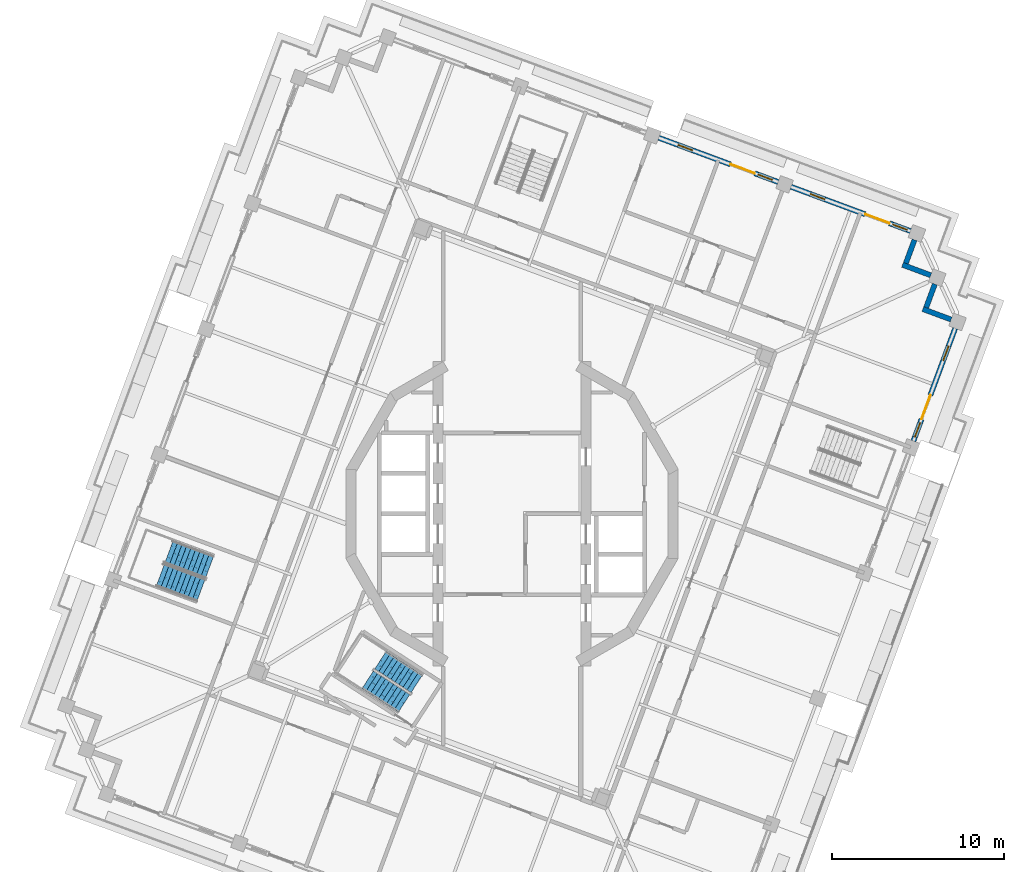
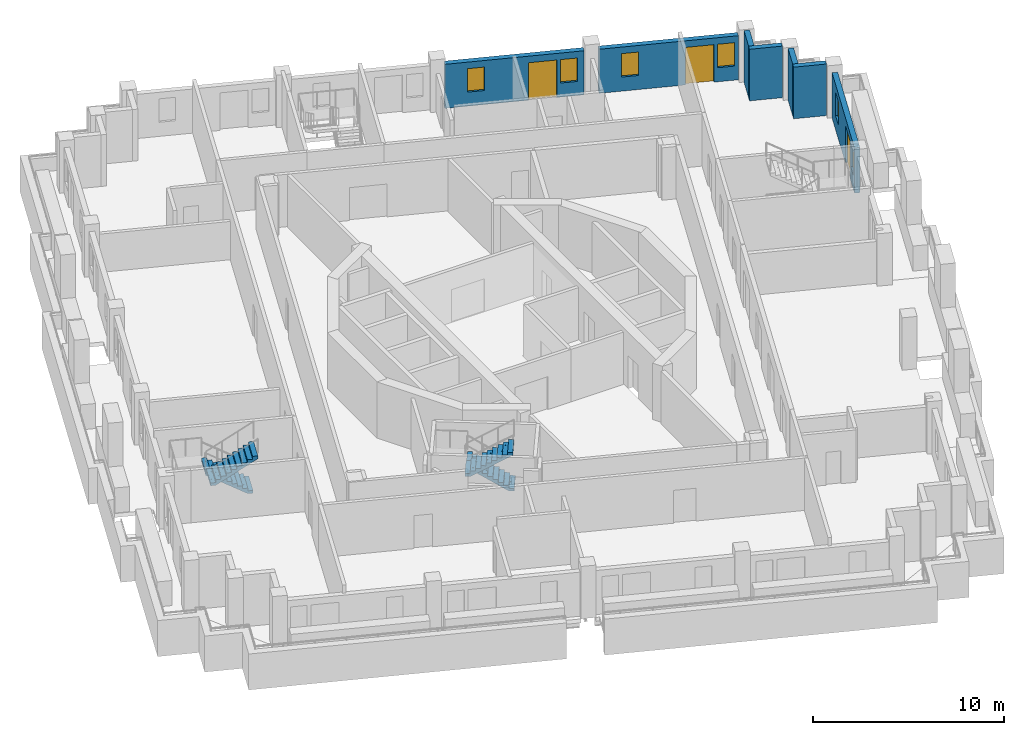
# One storey, part 9 of 18: 7 walls, 6 windows, 4 stair flights, 3 doors, 9 openings, 2 elements without a shape of their own.
"""IFC4 building model written with IfcOpenShell, lengths in metres."""

import ifcopenshell
import ifcopenshell.guid

model = None  # the IFC model being written
_history = None  # IfcOwnerHistory: only IFC2X3 demands one
_inside = {}  # id of a spatial element -> (the spatial element, [elements in it])
_under = {}  # id of a project, library or spatial element -> (it, [spatial elements below it])
_declared = {}  # id of a project -> (the project, [libraries it declares])
_typed = {}  # id of a type object -> (the type object, [elements of that type])
_made_of = {}  # id of a material, layer set ... -> (it, [elements and type objects made of it])


def new_model(schema):
    """Start an empty IFC model of exactly this schema.

    Asked for "IFC4X3", IfcOpenShell would pick the latest addendum, in which some entities
    have other attributes; the version numbers below select the first issue.
    IFC2X3 requires an IfcOwnerHistory on every rooted entity: one is made here for all.
    """
    global model, _history
    if schema == "IFC4X3":
        model = ifcopenshell.file(schema_version=(4, 3, 0, 0))
    else:
        model = ifcopenshell.file(schema=schema)
    _inside.clear()
    _under.clear()
    _declared.clear()
    _typed.clear()
    _made_of.clear()
    _history = None
    if model.schema == "IFC2X3":
        org = make("IfcOrganization", Name="unknown")
        user = make(
            "IfcPersonAndOrganization",
            ThePerson=make("IfcPerson", FamilyName="unknown"),
            TheOrganization=org,
        )
        app = make(
            "IfcApplication",
            ApplicationDeveloper=org,
            Version="unknown",
            ApplicationFullName="unknown",
            ApplicationIdentifier="unknown",
        )
        _history = make(
            "IfcOwnerHistory",
            OwningUser=user,
            OwningApplication=app,
            ChangeAction="ADDED",
            CreationDate=0,
        )
    return model


def make(cls, **values):
    """One entity of the class cls with the attributes given. An attribute that is None is left unset."""
    return model.create_entity(
        cls, **{name: value for name, value in values.items() if value is not None}
    )


def rooted(cls, **values):
    """An entity with a GlobalId (a new one), such as an element, a storey or a relation."""
    return make(cls, GlobalId=ifcopenshell.guid.new(), OwnerHistory=_history, **values)


def si_unit(unit_type, name, prefix=None):
    """IfcSIUnit, for example si_unit("LENGTHUNIT", "METRE", prefix="MILLI")."""
    return make("IfcSIUnit", UnitType=unit_type, Prefix=prefix, Name=name)


def assignment(units):
    """IfcUnitAssignment: the units of a project."""
    return None if units is None else make("IfcUnitAssignment", Units=units)


def point(xyz):
    """IfcCartesianPoint."""
    return None if xyz is None else make("IfcCartesianPoint", Coordinates=xyz)


def direction(xyz):
    """IfcDirection."""
    return None if xyz is None else make("IfcDirection", DirectionRatios=xyz)


def frame(location, z_axis=None, x_axis=None):
    """IfcAxis2Placement3D, a coordinate frame: its origin and axes. An axis left out is left unset."""
    return make(
        "IfcAxis2Placement3D",
        Location=point(location),
        Axis=direction(z_axis),
        RefDirection=direction(x_axis),
    )


def frame_2d(location, x_axis=None):
    """IfcAxis2Placement2D, a coordinate frame in the plane: its origin and x axis."""
    return make(
        "IfcAxis2Placement2D", Location=point(location), RefDirection=direction(x_axis)
    )


def origin():
    """The frame at (0, 0, 0) with its axes left unset."""
    return frame((0.0, 0.0, 0.0))


def place(relative_to, where):
    """IfcLocalPlacement: puts the frame where relative to a parent placement (None: the world)."""
    return make(
        "IfcLocalPlacement", PlacementRelTo=relative_to, RelativePlacement=where
    )


def context(
    kind, dimensions, precision=None, world=None, true_north=None, identifier=None
):
    """IfcGeometricRepresentationContext, for example the 3D "Model" context."""
    return make(
        "IfcGeometricRepresentationContext",
        ContextIdentifier=identifier,
        ContextType=kind,
        CoordinateSpaceDimension=dimensions,
        Precision=precision,
        WorldCoordinateSystem=world,
        TrueNorth=true_north,
    )


def subcontext(parent, identifier, kind, view, scale=None):
    """IfcGeometricRepresentationSubContext, for example "Body" below "Model"."""
    return make(
        "IfcGeometricRepresentationSubContext",
        ContextIdentifier=identifier,
        ContextType=kind,
        ParentContext=parent,
        TargetScale=scale,
        TargetView=view,
    )


def project(units=None, contexts=None):
    """IfcProject with its units and contexts."""
    return rooted(
        "IfcProject",
        Name="project",
        RepresentationContexts=contexts,
        UnitsInContext=assignment(units),
    )


def spatial(cls, under=None, at=None, **own):
    """A site, building, storey or space (cls), placed at a placement, below another one or the project."""
    s = rooted(cls, ObjectPlacement=at, **own)
    if under is not None:
        _under.setdefault(under.id(), (under, []))[1].append(s)
    return s


def polyline(points):
    """IfcPolyline through the points."""
    return make("IfcPolyline", Points=[point(p) for p in points])


def profile(cls, at=None, kind="AREA", **sizes):
    """A parametric profile (cls). Its sizes go by their IFC names, for example OverallWidth=200.0."""
    return make(cls, ProfileType=kind, Position=at, **sizes)


def rectangle(**sizes):
    """IfcRectangleProfileDef."""
    return profile("IfcRectangleProfileDef", **sizes)


def outline(outer, holes=None, kind="AREA"):
    """IfcArbitraryClosedProfileDef: a profile drawn as a closed curve; with holes, ...WithVoids."""
    if holes is None:
        return make("IfcArbitraryClosedProfileDef", ProfileType=kind, OuterCurve=outer)
    return make(
        "IfcArbitraryProfileDefWithVoids",
        ProfileType=kind,
        OuterCurve=outer,
        InnerCurves=holes,
    )


def extrude(swept, where, along, depth):
    """IfcExtrudedAreaSolid: the profile swept, set in the frame where, extruded along a direction by depth."""
    return make(
        "IfcExtrudedAreaSolid",
        SweptArea=swept,
        Position=where,
        ExtrudedDirection=direction(along),
        Depth=depth,
    )


def shape(context_of_items, identifier, shape_type, items):
    """IfcShapeRepresentation: the items that make up one representation, for example the "Body"."""
    return make(
        "IfcShapeRepresentation",
        ContextOfItems=context_of_items,
        RepresentationIdentifier=identifier,
        RepresentationType=shape_type,
        Items=items,
    )


def material(Name=None, Category=None):
    """IfcMaterial."""
    return make("IfcMaterial", Name=Name, Category=Category)


def layer(
    of_material, thickness, ventilated=None, Name=None, Category=None, Priority=None
):
    """IfcMaterialLayer: one layer of a wall or slab, of a material (None: an air gap)."""
    return make(
        "IfcMaterialLayer",
        Material=of_material,
        LayerThickness=thickness,
        IsVentilated=ventilated,
        Name=Name,
        Category=Category,
        Priority=Priority,
    )


def layer_set(layers, Name=None):
    """IfcMaterialLayerSet."""
    return make("IfcMaterialLayerSet", MaterialLayers=layers, LayerSetName=Name)


def made_of(thing, what):
    """Note that an element or type object is made of a material, layer set ...; save() writes the relation."""
    if what is not None:
        _made_of.setdefault(what.id(), (what, []))[1].append(thing)
    return thing


def type_object(cls, material=None, **own):
    """A type object (cls), such as IfcWallType, which elements share."""
    return made_of(rooted(cls, **own), material)


def element(
    cls,
    number,
    at=None,
    inside=None,
    cuts=None,
    type_object=None,
    material=None,
    context=None,
    identifier="Body",
    shape_type=None,
    held_by="IfcProductDefinitionShape",
    body=None,
    shapes=None,
    **own,
):
    """One element of the class cls, such as IfcWall. Its Tag is "e" and its number.

    at: its placement. inside: the storey or other place that contains it. cuts: it is an
    opening in that element (IfcRelVoidsElement). A single representation is given by context,
    identifier, shape_type and body (its items); several are given by shapes. held_by: the class
    of the entity that holds the representations. save() writes the other relations.
    """
    e = rooted(cls, Tag="e%d" % number, ObjectPlacement=at, **own)
    if body is not None:
        shapes = [shape(context, identifier, shape_type, body)]
    if shapes is not None:
        e.Representation = make(held_by, Representations=shapes)
    if inside is not None:
        _inside.setdefault(inside.id(), (inside, []))[1].append(e)
    if cuts is not None:
        rooted(
            "IfcRelVoidsElement", RelatingBuildingElement=cuts, RelatedOpeningElement=e
        )
    if type_object is not None:
        _typed.setdefault(type_object.id(), (type_object, []))[1].append(e)
    return made_of(e, material)


def fill(opening, filler):
    """IfcRelFillsElement: the door or window that sits in an opening."""
    return rooted(
        "IfcRelFillsElement",
        RelatingOpeningElement=opening,
        RelatedBuildingElement=filler,
    )


def aggregate(whole, parts):
    """IfcRelAggregates: a whole, such as a stair, and the parts it consists of."""
    return rooted("IfcRelAggregates", RelatingObject=whole, RelatedObjects=parts)


def save(model, path):
    """Write the relations noted so far, then the file.

    IfcRelAggregates (storeys below a building ...), IfcRelContainedInSpatialStructure (elements
    in a storey), IfcRelDefinesByType, IfcRelAssociatesMaterial and IfcRelDeclares: one each for
    every whole, place, type object, material and project.
    """
    for whole, parts in _under.values():
        aggregate(whole, parts)
    for where, things in _inside.values():
        rooted(
            "IfcRelContainedInSpatialStructure",
            RelatedElements=things,
            RelatingStructure=where,
        )
    for kind, things in _typed.values():
        rooted("IfcRelDefinesByType", RelatedObjects=things, RelatingType=kind)
    for what, things in _made_of.values():
        rooted("IfcRelAssociatesMaterial", RelatedObjects=things, RelatingMaterial=what)
    for by, libraries in _declared.values():
        rooted("IfcRelDeclares", RelatingContext=by, RelatedDefinitions=libraries)
    model.write(path)


model = new_model("IFC4")

# Units and contexts
model_context = context("Model", 3, precision=1e-05, world=origin(), true_north=direction((0.0, 1.0)))
body_context = subcontext(model_context, "Body", "Model", "MODEL_VIEW")
ifc_project = project(units=[si_unit("LENGTHUNIT", "METRE"), si_unit("AREAUNIT", "SQUARE_METRE"), si_unit("VOLUMEUNIT", "CUBIC_METRE"), si_unit("PLANEANGLEUNIT", "RADIAN"), si_unit("MASSUNIT", "GRAM", prefix="KILO")], contexts=[model_context])

# Site, building, storey
site_placement = place(None, origin())
site = spatial("IfcSite", under=ifc_project, at=site_placement, CompositionType="ELEMENT")
building_placement = place(site_placement, origin())
building = spatial("IfcBuilding", under=site, at=building_placement, Name="Cantera Rosa Tower", CompositionType="ELEMENT")
storey_placement = place(building_placement, frame((0.0, 0.0, 338.5)))
storey = spatial("IfcBuildingStorey", under=building, at=storey_placement, Name="L76", CompositionType="ELEMENT", Elevation=338.5)

# Walls
ifc_material_1 = material(Name="Hollow clay masonry with cantera stone cladding", Category="masonry")
ifc_layer_1 = layer(ifc_material_1, 0.300048828125)
ifc_layer_set_1 = layer_set([ifc_layer_1], Name="EW-LOGGIA 300")
wall_type_1 = type_object("IfcWallType", Name="EW-LOGGIA 300", PredefinedType="SOLIDWALL", material=ifc_layer_set_1)
wall_1_placement = place(storey_placement, frame((25.51220703125, 11.288330078125, 0.0), z_axis=(0.0, 0.0, 1.0), x_axis=(-0.937669639538, 0.34752790836, 0.0)))
element("IfcWall", 1, at=wall_1_placement, inside=storey, type_object=wall_type_1, Name="EN-L76-W25a", PredefinedType="SOLIDWALL", context=body_context, shape_type="SweptSolid", body=[
    extrude(rectangle(XDim=1.75, YDim=0.300048828125, at=frame_2d((0.875, 0.0))), origin(), (0.0, 0.0, 1.0), 3.300048828125),
])
wall_2_placement = place(storey_placement, frame((24.06396484375, 11.985107421875, 0.0), z_axis=(0.0, 0.0, 1.0), x_axis=(0.347522732201, 0.937671557958, 0.0)))
element("IfcWall", 2, at=wall_2_placement, inside=storey, type_object=wall_type_1, Name="EN-L76-W25b", PredefinedType="SOLIDWALL", context=body_context, shape_type="SweptSolid", body=[
    extrude(rectangle(XDim=1.449951171875, YDim=0.300048828125, at=frame_2d((0.72509765625, 0.0))), origin(), (0.0, 0.0, 1.0), 3.300048828125),
])
wall_3_placement = place(storey_placement, frame((24.331787109375, 13.858642578125, 0.0), z_axis=(0.0, 0.0, 1.0), x_axis=(-0.937669639538, 0.34752790836, 0.0)))
element("IfcWall", 3, at=wall_3_placement, inside=storey, type_object=wall_type_1, Name="EN-L76-W26a", PredefinedType="SOLIDWALL", context=body_context, shape_type="SweptSolid", body=[
    extrude(rectangle(XDim=1.75, YDim=0.300048828125, at=frame_2d((0.875, 0.0))), origin(), (0.0, 0.0, 1.0), 3.300048828125),
])
wall_4_placement = place(storey_placement, frame((22.883544921875, 14.555419921875, 0.0), z_axis=(0.0, 0.0, 1.0), x_axis=(0.347522732201, 0.937671557958, 0.0)))
element("IfcWall", 4, at=wall_4_placement, inside=storey, type_object=wall_type_1, Name="EN-L76-W26b", PredefinedType="SOLIDWALL", context=body_context, shape_type="SweptSolid", body=[
    extrude(rectangle(XDim=1.449951171875, YDim=0.300048828125, at=frame_2d((0.72509765625, 0.0))), origin(), (0.0, 0.0, 1.0), 3.300048828125),
])

# Wall, openings, windows, door
ifc_material_2 = material(Name="Hollow clay masonry with cantera stone cladding", Category="masonry")
ifc_layer_2 = layer(ifc_material_2, 0.300048828125)
ifc_layer_set_2 = layer_set([ifc_layer_2], Name="EW-LOGGIA 300 H2820")
wall_type_2 = type_object("IfcWallType", Name="EW-LOGGIA 300 H2820", PredefinedType="SOLIDWALL", material=ifc_layer_set_2)
wall_5_placement = place(storey_placement, frame((23.1513671875, 16.428955078125, 0.0), z_axis=(0.0, 0.0, 1.0), x_axis=(-0.937676706507, 0.347508840281, 0.0)))
wall_5 = element("IfcWall", 5, at=wall_5_placement, inside=storey, type_object=wall_type_2, Name="EN-L76-W01", PredefinedType="SOLIDWALL", context=body_context, shape_type="SweptSolid", body=[
    extrude(rectangle(XDim=7.39990234375, YDim=0.300048828125, at=frame_2d((3.699951171875, 0.0))), origin(), (0.0, 0.0, 1.0), 2.820068359375),
])
opening_1_placement = place(wall_5_placement, frame((0.199951171875, 0.0, 0.89990234375)))
opening_1 = element("IfcOpeningElement", 6, at=opening_1_placement, cuts=wall_5, Name="Opening L76-W01", PredefinedType="OPENING", context=body_context, shape_type="SweptSolid", body=[
    extrude(rectangle(XDim=0.89990234375, YDim=1.5, at=frame_2d((0.449951171875, 0.75))), frame((0.0, 0.159912109375, 0.0), z_axis=(0.0, -1.0, 0.0), x_axis=(1.0, 0.0, 0.0)), (0.0, 0.0, 1.0), 0.320068359375),
])
opening_2_placement = place(wall_5_placement, frame((1.300048828125, 0.0, 0.0)))
opening_2 = element("IfcOpeningElement", 7, at=opening_2_placement, cuts=wall_5, Name="Opening L76-TD02", PredefinedType="OPENING", context=body_context, shape_type="SweptSolid", body=[
    extrude(rectangle(XDim=1.5, YDim=2.39990234375, at=frame_2d((0.75, 1.199951171875))), frame((0.0, 0.159912109375, 0.0), z_axis=(0.0, -1.0, 0.0), x_axis=(1.0, 0.0, 0.0)), (0.0, 0.0, 1.0), 0.320068359375),
])
opening_3_placement = place(wall_5_placement, frame((5.300048828125, 0.0, 0.89990234375)))
opening_3 = element("IfcOpeningElement", 8, at=opening_3_placement, cuts=wall_5, Name="Opening L76-W03", PredefinedType="OPENING", context=body_context, shape_type="SweptSolid", body=[
    extrude(rectangle(XDim=0.89990234375, YDim=1.5, at=frame_2d((0.449951171875, 0.75))), frame((0.0, 0.159912109375, 0.0), z_axis=(0.0, -1.0, 0.0), x_axis=(1.0, 0.0, 0.0)), (0.0, 0.0, 1.0), 0.320068359375),
])
ifc_material_3 = material(Name="Aluminium frame with clear glass", Category="aluminium")
window_type = type_object("IfcWindowType", Name="Residential window 900x1500", PartitioningType="SINGLE_PANEL", PredefinedType="WINDOW", material=ifc_material_3)
window_1_placement = place(opening_1_placement, origin())
window_1 = element("IfcWindow", 9, at=window_1_placement, inside=storey, type_object=window_type, Name="WINDOW L76-W01", OverallHeight=1.5, OverallWidth=0.89990234375, PartitioningType="SINGLE_PANEL", PredefinedType="WINDOW", context=body_context, shape_type="SweptSolid", body=[
    extrude(rectangle(XDim=0.89990234375, YDim=1.5, at=frame_2d((0.449951171875, 0.75))), frame((0.0, 0.030029296875, 0.0), z_axis=(0.0, -1.0, 0.0), x_axis=(1.0, 0.0, 0.0)), (0.0, 0.0, 1.0), 0.06005859375),
])
fill(opening_1, window_1)
window_2_placement = place(opening_3_placement, origin())
window_2 = element("IfcWindow", 10, at=window_2_placement, inside=storey, type_object=window_type, Name="WINDOW L76-W03", OverallHeight=1.5, OverallWidth=0.89990234375, PartitioningType="SINGLE_PANEL", PredefinedType="WINDOW", context=body_context, shape_type="SweptSolid", body=[
    extrude(rectangle(XDim=0.89990234375, YDim=1.5, at=frame_2d((0.449951171875, 0.75))), frame((0.0, 0.030029296875, 0.0), z_axis=(0.0, -1.0, 0.0), x_axis=(1.0, 0.0, 0.0)), (0.0, 0.0, 1.0), 0.06005859375),
])
fill(opening_3, window_2)
ifc_material_4 = material(Name="Aluminium frame with clear glass", Category="aluminium")
door_type = type_object("IfcDoorType", Name="TD-R 1500x2400", OperationType="NOTDEFINED", PredefinedType="DOOR", material=ifc_material_4)
door_1_placement = place(opening_2_placement, origin())
door_1 = element("IfcDoor", 11, at=door_1_placement, inside=storey, type_object=door_type, Name="LOGGIA DOOR L76-TD02", OperationType="SLIDING_TO_LEFT", OverallHeight=2.39990234375, OverallWidth=1.5, PredefinedType="DOOR", context=body_context, shape_type="SweptSolid", body=[
    extrude(rectangle(XDim=1.5, YDim=2.39990234375, at=frame_2d((0.75, 1.199951171875))), frame((0.0, 0.02490234375, 0.0), z_axis=(0.0, -1.0, 0.0), x_axis=(1.0, 0.0, 0.0)), (0.0, 0.0, 1.0), 0.050048828125),
])
fill(opening_2, door_1)

wall_6_placement = place(storey_placement, frame((15.46240234375, 19.2783203125, 0.0), z_axis=(0.0, 0.0, 1.0), x_axis=(-0.937680690562, 0.34749808999, 0.0)))
wall_6 = element("IfcWall", 12, at=wall_6_placement, inside=storey, type_object=wall_type_2, Name="EN-L76-W02", PredefinedType="SOLIDWALL", context=body_context, shape_type="SweptSolid", body=[
    extrude(rectangle(XDim=7.400146484375, YDim=0.300048828125, at=frame_2d((3.7001953125, 0.0))), origin(), (0.0, 0.0, 1.0), 2.820068359375),
])
opening_4_placement = place(wall_6_placement, frame((0.35009765625, 0.0, 0.89990234375)))
opening_4 = element("IfcOpeningElement", 13, at=opening_4_placement, cuts=wall_6, Name="Opening L76-W04", PredefinedType="OPENING", context=body_context, shape_type="SweptSolid", body=[
    extrude(rectangle(XDim=0.89990234375, YDim=1.5, at=frame_2d((0.449951171875, 0.75))), frame((0.0, 0.159912109375, 0.0), z_axis=(0.0, -1.0, 0.0), x_axis=(1.0, 0.0, 0.0)), (0.0, 0.0, 1.0), 0.320068359375),
])
opening_5_placement = place(wall_6_placement, frame((1.449951171875, 0.0, 0.0)))
opening_5 = element("IfcOpeningElement", 14, at=opening_5_placement, cuts=wall_6, Name="Opening L76-TD05", PredefinedType="OPENING", context=body_context, shape_type="SweptSolid", body=[
    extrude(rectangle(XDim=1.5, YDim=2.39990234375, at=frame_2d((0.75, 1.199951171875))), frame((0.0, 0.159912109375, 0.0), z_axis=(0.0, -1.0, 0.0), x_axis=(1.0, 0.0, 0.0)), (0.0, 0.0, 1.0), 0.320068359375),
])
opening_6_placement = place(wall_6_placement, frame((5.300048828125, 0.0, 0.89990234375)))
opening_6 = element("IfcOpeningElement", 15, at=opening_6_placement, cuts=wall_6, Name="Opening L76-W06", PredefinedType="OPENING", context=body_context, shape_type="SweptSolid", body=[
    extrude(rectangle(XDim=0.89990234375, YDim=1.5, at=frame_2d((0.449951171875, 0.75))), frame((0.0, 0.159912109375, 0.0), z_axis=(0.0, -1.0, 0.0), x_axis=(1.0, 0.0, 0.0)), (0.0, 0.0, 1.0), 0.320068359375),
])
window_3_placement = place(opening_4_placement, origin())
window_3 = element("IfcWindow", 16, at=window_3_placement, inside=storey, type_object=window_type, Name="WINDOW L76-W04", OverallHeight=1.5, OverallWidth=0.89990234375, PartitioningType="SINGLE_PANEL", PredefinedType="WINDOW", context=body_context, shape_type="SweptSolid", body=[
    extrude(rectangle(XDim=0.89990234375, YDim=1.5, at=frame_2d((0.449951171875, 0.75))), frame((0.0, 0.030029296875, 0.0), z_axis=(0.0, -1.0, 0.0), x_axis=(1.0, 0.0, 0.0)), (0.0, 0.0, 1.0), 0.06005859375),
])
fill(opening_4, window_3)
window_4_placement = place(opening_6_placement, origin())
window_4 = element("IfcWindow", 17, at=window_4_placement, inside=storey, type_object=window_type, Name="WINDOW L76-W06", OverallHeight=1.5, OverallWidth=0.89990234375, PartitioningType="SINGLE_PANEL", PredefinedType="WINDOW", context=body_context, shape_type="SweptSolid", body=[
    extrude(rectangle(XDim=0.89990234375, YDim=1.5, at=frame_2d((0.449951171875, 0.75))), frame((0.0, 0.030029296875, 0.0), z_axis=(0.0, -1.0, 0.0), x_axis=(1.0, 0.0, 0.0)), (0.0, 0.0, 1.0), 0.06005859375),
])
fill(opening_6, window_4)
door_2_placement = place(opening_5_placement, origin())
door_2 = element("IfcDoor", 18, at=door_2_placement, inside=storey, type_object=door_type, Name="LOGGIA DOOR L76-TD05", OperationType="SLIDING_TO_LEFT", OverallHeight=2.39990234375, OverallWidth=1.5, PredefinedType="DOOR", context=body_context, shape_type="SweptSolid", body=[
    extrude(rectangle(XDim=1.5, YDim=2.39990234375, at=frame_2d((0.75, 1.199951171875))), frame((0.0, 0.02490234375, 0.0), z_axis=(0.0, -1.0, 0.0), x_axis=(1.0, 0.0, 0.0)), (0.0, 0.0, 1.0), 0.050048828125),
])
fill(opening_5, door_2)

ifc_material_5 = material(Name="Hollow clay masonry with cantera stone cladding", Category="masonry")
ifc_layer_3 = layer(ifc_material_5, 0.300048828125)
ifc_layer_set_3 = layer_set([ifc_layer_3], Name="EW-LOGGIA 300 H2890")
wall_type_3 = type_object("IfcWallType", Name="EW-LOGGIA 300 H2890", PredefinedType="SOLIDWALL", material=ifc_layer_set_3)
wall_7_placement = place(storey_placement, frame((23.322998046875, 4.229248046875, 0.0), z_axis=(0.0, 0.0, 1.0), x_axis=(0.347460165909, 0.937694744097, 0.0)))
wall_7 = element("IfcWall", 19, at=wall_7_placement, inside=storey, type_object=wall_type_3, Name="EN-L76-W24", PredefinedType="SOLIDWALL", context=body_context, shape_type="SweptSolid", body=[
    extrude(rectangle(XDim=6.97998046875, YDim=0.300048828125, at=frame_2d((3.489990234375, 0.0))), origin(), (0.0, 0.0, 1.0), 2.889892578125),
])
opening_7_placement = place(wall_7_placement, frame((0.2451171875, 0.0, 0.89990234375)))
opening_7 = element("IfcOpeningElement", 20, at=opening_7_placement, cuts=wall_7, Name="Opening L76-W46", PredefinedType="OPENING", context=body_context, shape_type="SweptSolid", body=[
    extrude(rectangle(XDim=0.89990234375, YDim=1.5, at=frame_2d((0.449951171875, 0.75))), frame((0.0, 0.159912109375, 0.0), z_axis=(0.0, -1.0, 0.0), x_axis=(1.0, 0.0, 0.0)), (0.0, 0.0, 1.0), 0.320068359375),
])
opening_8_placement = place(wall_7_placement, frame((1.344970703125, 0.0, 0.0)))
opening_8 = element("IfcOpeningElement", 21, at=opening_8_placement, cuts=wall_7, Name="Opening L76-TD47", PredefinedType="OPENING", context=body_context, shape_type="SweptSolid", body=[
    extrude(rectangle(XDim=1.5, YDim=2.39990234375, at=frame_2d((0.75, 1.199951171875))), frame((0.0, 0.159912109375, 0.0), z_axis=(0.0, -1.0, 0.0), x_axis=(1.0, 0.0, 0.0)), (0.0, 0.0, 1.0), 0.320068359375),
])
opening_9_placement = place(wall_7_placement, frame((4.985107421875, 0.0, 0.89990234375)))
opening_9 = element("IfcOpeningElement", 22, at=opening_9_placement, cuts=wall_7, Name="Opening L76-W48", PredefinedType="OPENING", context=body_context, shape_type="SweptSolid", body=[
    extrude(rectangle(XDim=0.89990234375, YDim=1.5, at=frame_2d((0.449951171875, 0.75))), frame((0.0, 0.159912109375, 0.0), z_axis=(0.0, -1.0, 0.0), x_axis=(1.0, 0.0, 0.0)), (0.0, 0.0, 1.0), 0.320068359375),
])
window_5_placement = place(opening_7_placement, origin())
window_5 = element("IfcWindow", 23, at=window_5_placement, inside=storey, type_object=window_type, Name="WINDOW L76-W46", OverallHeight=1.5, OverallWidth=0.89990234375, PartitioningType="SINGLE_PANEL", PredefinedType="WINDOW", context=body_context, shape_type="SweptSolid", body=[
    extrude(rectangle(XDim=0.89990234375, YDim=1.5, at=frame_2d((0.449951171875, 0.75))), frame((0.0, 0.030029296875, 0.0), z_axis=(0.0, -1.0, 0.0), x_axis=(1.0, 0.0, 0.0)), (0.0, 0.0, 1.0), 0.06005859375),
])
fill(opening_7, window_5)
window_6_placement = place(opening_9_placement, origin())
window_6 = element("IfcWindow", 24, at=window_6_placement, inside=storey, type_object=window_type, Name="WINDOW L76-W48", OverallHeight=1.5, OverallWidth=0.89990234375, PartitioningType="SINGLE_PANEL", PredefinedType="WINDOW", context=body_context, shape_type="SweptSolid", body=[
    extrude(rectangle(XDim=0.89990234375, YDim=1.5, at=frame_2d((0.449951171875, 0.75))), frame((0.0, 0.030029296875, 0.0), z_axis=(0.0, -1.0, 0.0), x_axis=(1.0, 0.0, 0.0)), (0.0, 0.0, 1.0), 0.06005859375),
])
fill(opening_9, window_6)
door_3_placement = place(opening_8_placement, origin())
door_3 = element("IfcDoor", 25, at=door_3_placement, inside=storey, type_object=door_type, Name="LOGGIA DOOR L76-TD47", OperationType="SLIDING_TO_LEFT", OverallHeight=2.39990234375, OverallWidth=1.5, PredefinedType="DOOR", context=body_context, shape_type="SweptSolid", body=[
    extrude(rectangle(XDim=1.5, YDim=2.39990234375, at=frame_2d((0.75, 1.199951171875))), frame((0.0, 0.02490234375, 0.0), z_axis=(0.0, -1.0, 0.0), x_axis=(1.0, 0.0, 0.0)), (0.0, 0.0, 1.0), 0.050048828125),
])
fill(opening_8, door_3)

# Stair, stair flights
ifc_material_6 = material(Name="Concrete C35/45", Category="concrete")
stair_type_1 = type_object("IfcStairType", Name="EXIT STAIR 1200 DOGLEG", PredefinedType="HALF_TURN_STAIR", material=ifc_material_6)
stair_1_placement = place(storey_placement, origin())
stair_1 = element("IfcStair", 26, at=stair_1_placement, inside=storey, type_object=stair_type_1, Name="L76 ST-64", PredefinedType="HALF_TURN_STAIR")
ifc_material_7 = material(Name="Concrete C35/45", Category="concrete")
stair_flight_type_1 = type_object("IfcStairFlightType", Name="STAIR FLIGHT 1200 R20x180", PredefinedType="STRAIGHT", material=ifc_material_7)
stair_flight_1_placement = place(storey_placement, frame((-5.532470703125, -9.878173828125, 0.0), z_axis=(0.0, 0.0, 1.0), x_axis=(-0.838670567945, 0.544639035015, 0.0)))
stair_flight_1 = element("IfcStairFlight", 27, at=stair_flight_1_placement, type_object=stair_flight_type_1, Name="ST-64 flight 1", NumberOfRisers=10, NumberOfTreads=9, PredefinedType="STRAIGHT", RiserHeight=0.18, TreadLength=0.28, context=body_context, shape_type="SweptSolid", body=[
    extrude(outline(polyline([(0.0, 0.0), (0.0, 0.179931640625), (0.280029296875, 0.179931640625), (0.280029296875, 0.360107421875), (0.56005859375, 0.360107421875), (0.56005859375, 0.5400390625), (0.840087890625, 0.5400390625), (0.840087890625, 0.719970703125), (1.1201171875, 0.719970703125), (1.1201171875, 0.89990234375), (1.39990234375, 0.89990234375), (1.39990234375, 1.080078125), (1.679931640625, 1.080078125), (1.679931640625, 1.260009765625), (1.9599609375, 1.260009765625), (1.9599609375, 1.43994140625), (2.239990234375, 1.43994140625), (2.239990234375, 1.6201171875), (2.52001953125, 1.6201171875), (2.52001953125, 1.800048828125), (2.52001953125, 1.44189453125), (0.277099609375, 0.0), (0.0, 0.0)])), frame((0.0, 0.60009765625, 0.0), z_axis=(0.0, -1.0, 0.0), x_axis=(1.0, 0.0, 0.0)), (0.0, 0.0, 1.0), 0.298583984375),
    extrude(outline(polyline([(0.0, 0.0), (0.0, 0.179931640625), (0.280029296875, 0.179931640625), (0.280029296875, 0.360107421875), (0.56005859375, 0.360107421875), (0.56005859375, 0.5400390625), (0.840087890625, 0.5400390625), (0.840087890625, 0.719970703125), (1.1201171875, 0.719970703125), (1.1201171875, 0.89990234375), (1.39990234375, 0.89990234375), (1.39990234375, 1.080078125), (1.679931640625, 1.080078125), (1.679931640625, 1.260009765625), (1.9599609375, 1.260009765625), (1.9599609375, 1.43994140625), (2.239990234375, 1.43994140625), (2.239990234375, 1.6201171875), (2.52001953125, 1.6201171875), (2.52001953125, 1.800048828125), (2.52001953125, 1.44189453125), (0.277099609375, 0.0), (0.0, 0.0)])), frame((0.0, 0.29931640625, 0.0), z_axis=(0.0, -1.0, 0.0), x_axis=(1.0, 0.0, 0.0)), (0.0, 0.0, 1.0), 0.298583984375),
    extrude(outline(polyline([(0.0, 0.0), (0.0, 0.179931640625), (0.280029296875, 0.179931640625), (0.280029296875, 0.360107421875), (0.56005859375, 0.360107421875), (0.56005859375, 0.5400390625), (0.840087890625, 0.5400390625), (0.840087890625, 0.719970703125), (1.1201171875, 0.719970703125), (1.1201171875, 0.89990234375), (1.39990234375, 0.89990234375), (1.39990234375, 1.080078125), (1.679931640625, 1.080078125), (1.679931640625, 1.260009765625), (1.9599609375, 1.260009765625), (1.9599609375, 1.43994140625), (2.239990234375, 1.43994140625), (2.239990234375, 1.6201171875), (2.52001953125, 1.6201171875), (2.52001953125, 1.800048828125), (2.52001953125, 1.44189453125), (0.277099609375, 0.0), (0.0, 0.0)])), frame((0.0, -0.0009765625, 0.0), z_axis=(0.0, -1.0, 0.0), x_axis=(1.0, 0.0, 0.0)), (0.0, 0.0, 1.0), 0.298583984375),
    extrude(outline(polyline([(0.0, 0.0), (0.0, 0.179931640625), (0.280029296875, 0.179931640625), (0.280029296875, 0.360107421875), (0.56005859375, 0.360107421875), (0.56005859375, 0.5400390625), (0.840087890625, 0.5400390625), (0.840087890625, 0.719970703125), (1.1201171875, 0.719970703125), (1.1201171875, 0.89990234375), (1.39990234375, 0.89990234375), (1.39990234375, 1.080078125), (1.679931640625, 1.080078125), (1.679931640625, 1.260009765625), (1.9599609375, 1.260009765625), (1.9599609375, 1.43994140625), (2.239990234375, 1.43994140625), (2.239990234375, 1.6201171875), (2.52001953125, 1.6201171875), (2.52001953125, 1.800048828125), (2.52001953125, 1.44189453125), (0.277099609375, 0.0), (0.0, 0.0)])), frame((0.0, -0.3017578125, 0.0), z_axis=(0.0, -1.0, 0.0), x_axis=(1.0, 0.0, 0.0)), (0.0, 0.0, 1.0), 0.298583984375),
])
stair_flight_2_placement = place(storey_placement, frame((-8.381103515625, -9.6376953125, 1.800048828125), z_axis=(0.0, 0.0, 1.0), x_axis=(0.838670567945, -0.544639035015, 0.0)))
stair_flight_2 = element("IfcStairFlight", 28, at=stair_flight_2_placement, type_object=stair_flight_type_1, Name="ST-64 flight 2", NumberOfRisers=10, NumberOfTreads=9, PredefinedType="STRAIGHT", RiserHeight=0.18, TreadLength=0.28, context=body_context, shape_type="SweptSolid", body=[
    extrude(outline(polyline([(0.0, 0.0), (0.0, 0.179931640625), (0.280029296875, 0.179931640625), (0.280029296875, 0.360107421875), (0.56005859375, 0.360107421875), (0.56005859375, 0.5400390625), (0.840087890625, 0.5400390625), (0.840087890625, 0.719970703125), (1.1201171875, 0.719970703125), (1.1201171875, 0.89990234375), (1.39990234375, 0.89990234375), (1.39990234375, 1.080078125), (1.679931640625, 1.080078125), (1.679931640625, 1.260009765625), (1.9599609375, 1.260009765625), (1.9599609375, 1.43994140625), (2.239990234375, 1.43994140625), (2.239990234375, 1.6201171875), (2.52001953125, 1.6201171875), (2.52001953125, 1.800048828125), (2.52001953125, 1.44189453125), (0.277099609375, 0.0), (0.0, 0.0)])), frame((0.0, 0.60009765625, 0.0), z_axis=(0.0, -1.0, 0.0), x_axis=(1.0, 0.0, 0.0)), (0.0, 0.0, 1.0), 0.298583984375),
    extrude(outline(polyline([(0.0, 0.0), (0.0, 0.179931640625), (0.280029296875, 0.179931640625), (0.280029296875, 0.360107421875), (0.56005859375, 0.360107421875), (0.56005859375, 0.5400390625), (0.840087890625, 0.5400390625), (0.840087890625, 0.719970703125), (1.1201171875, 0.719970703125), (1.1201171875, 0.89990234375), (1.39990234375, 0.89990234375), (1.39990234375, 1.080078125), (1.679931640625, 1.080078125), (1.679931640625, 1.260009765625), (1.9599609375, 1.260009765625), (1.9599609375, 1.43994140625), (2.239990234375, 1.43994140625), (2.239990234375, 1.6201171875), (2.52001953125, 1.6201171875), (2.52001953125, 1.800048828125), (2.52001953125, 1.44189453125), (0.277099609375, 0.0), (0.0, 0.0)])), frame((0.0, 0.29931640625, 0.0), z_axis=(0.0, -1.0, 0.0), x_axis=(1.0, 0.0, 0.0)), (0.0, 0.0, 1.0), 0.298583984375),
    extrude(outline(polyline([(0.0, 0.0), (0.0, 0.179931640625), (0.280029296875, 0.179931640625), (0.280029296875, 0.360107421875), (0.56005859375, 0.360107421875), (0.56005859375, 0.5400390625), (0.840087890625, 0.5400390625), (0.840087890625, 0.719970703125), (1.1201171875, 0.719970703125), (1.1201171875, 0.89990234375), (1.39990234375, 0.89990234375), (1.39990234375, 1.080078125), (1.679931640625, 1.080078125), (1.679931640625, 1.260009765625), (1.9599609375, 1.260009765625), (1.9599609375, 1.43994140625), (2.239990234375, 1.43994140625), (2.239990234375, 1.6201171875), (2.52001953125, 1.6201171875), (2.52001953125, 1.800048828125), (2.52001953125, 1.44189453125), (0.277099609375, 0.0), (0.0, 0.0)])), frame((0.0, -0.0009765625, 0.0), z_axis=(0.0, -1.0, 0.0), x_axis=(1.0, 0.0, 0.0)), (0.0, 0.0, 1.0), 0.298583984375),
    extrude(outline(polyline([(0.0, 0.0), (0.0, 0.179931640625), (0.280029296875, 0.179931640625), (0.280029296875, 0.360107421875), (0.56005859375, 0.360107421875), (0.56005859375, 0.5400390625), (0.840087890625, 0.5400390625), (0.840087890625, 0.719970703125), (1.1201171875, 0.719970703125), (1.1201171875, 0.89990234375), (1.39990234375, 0.89990234375), (1.39990234375, 1.080078125), (1.679931640625, 1.080078125), (1.679931640625, 1.260009765625), (1.9599609375, 1.260009765625), (1.9599609375, 1.43994140625), (2.239990234375, 1.43994140625), (2.239990234375, 1.6201171875), (2.52001953125, 1.6201171875), (2.52001953125, 1.800048828125), (2.52001953125, 1.44189453125), (0.277099609375, 0.0), (0.0, 0.0)])), frame((0.0, -0.3017578125, 0.0), z_axis=(0.0, -1.0, 0.0), x_axis=(1.0, 0.0, 0.0)), (0.0, 0.0, 1.0), 0.298583984375),
])
aggregate(stair_1, [stair_flight_1, stair_flight_2])

ifc_material_8 = material(Name="Concrete C35/45", Category="concrete")
stair_type_2 = type_object("IfcStairType", Name="EXIT STAIR 1350 DOGLEG", PredefinedType="HALF_TURN_STAIR", material=ifc_material_8)
stair_2_placement = place(storey_placement, origin())
stair_2 = element("IfcStair", 29, at=stair_2_placement, inside=storey, type_object=stair_type_2, Name="L76 ST-63", PredefinedType="HALF_TURN_STAIR")
ifc_material_9 = material(Name="Concrete C35/45", Category="concrete")
stair_flight_type_2 = type_object("IfcStairFlightType", Name="STAIR FLIGHT 1350 R20x180", PredefinedType="STRAIGHT", material=ifc_material_9)
stair_flight_3_placement = place(storey_placement, frame((-17.55908203125, -3.064453125, 0.0), z_axis=(0.0, 0.0, 1.0), x_axis=(-0.937686938944, 0.347481229039, 0.0)))
stair_flight_3 = element("IfcStairFlight", 30, at=stair_flight_3_placement, type_object=stair_flight_type_2, Name="ST-63 flight 1", NumberOfRisers=10, NumberOfTreads=9, PredefinedType="STRAIGHT", RiserHeight=0.18, TreadLength=0.28, context=body_context, shape_type="SweptSolid", body=[
    extrude(outline(polyline([(0.0, 0.0), (0.0, 0.179931640625), (0.280029296875, 0.179931640625), (0.280029296875, 0.360107421875), (0.56005859375, 0.360107421875), (0.56005859375, 0.5400390625), (0.840087890625, 0.5400390625), (0.840087890625, 0.719970703125), (1.1201171875, 0.719970703125), (1.1201171875, 0.89990234375), (1.39990234375, 0.89990234375), (1.39990234375, 1.080078125), (1.679931640625, 1.080078125), (1.679931640625, 1.260009765625), (1.9599609375, 1.260009765625), (1.9599609375, 1.43994140625), (2.239990234375, 1.43994140625), (2.239990234375, 1.6201171875), (2.52001953125, 1.6201171875), (2.52001953125, 1.800048828125), (2.52001953125, 1.44189453125), (0.277099609375, 0.0), (0.0, 0.0)])), frame((0.0, 0.675048828125, 0.0), z_axis=(0.0, -1.0, 0.0), x_axis=(1.0, 0.0, 0.0)), (0.0, 0.0, 1.0), 0.3359375),
    extrude(outline(polyline([(0.0, 0.0), (0.0, 0.179931640625), (0.280029296875, 0.179931640625), (0.280029296875, 0.360107421875), (0.56005859375, 0.360107421875), (0.56005859375, 0.5400390625), (0.840087890625, 0.5400390625), (0.840087890625, 0.719970703125), (1.1201171875, 0.719970703125), (1.1201171875, 0.89990234375), (1.39990234375, 0.89990234375), (1.39990234375, 1.080078125), (1.679931640625, 1.080078125), (1.679931640625, 1.260009765625), (1.9599609375, 1.260009765625), (1.9599609375, 1.43994140625), (2.239990234375, 1.43994140625), (2.239990234375, 1.6201171875), (2.52001953125, 1.6201171875), (2.52001953125, 1.800048828125), (2.52001953125, 1.44189453125), (0.277099609375, 0.0), (0.0, 0.0)])), frame((0.0, 0.337158203125, 0.0), z_axis=(0.0, -1.0, 0.0), x_axis=(1.0, 0.0, 0.0)), (0.0, 0.0, 1.0), 0.3359375),
    extrude(outline(polyline([(0.0, 0.0), (0.0, 0.179931640625), (0.280029296875, 0.179931640625), (0.280029296875, 0.360107421875), (0.56005859375, 0.360107421875), (0.56005859375, 0.5400390625), (0.840087890625, 0.5400390625), (0.840087890625, 0.719970703125), (1.1201171875, 0.719970703125), (1.1201171875, 0.89990234375), (1.39990234375, 0.89990234375), (1.39990234375, 1.080078125), (1.679931640625, 1.080078125), (1.679931640625, 1.260009765625), (1.9599609375, 1.260009765625), (1.9599609375, 1.43994140625), (2.239990234375, 1.43994140625), (2.239990234375, 1.6201171875), (2.52001953125, 1.6201171875), (2.52001953125, 1.800048828125), (2.52001953125, 1.44189453125), (0.277099609375, 0.0), (0.0, 0.0)])), frame((0.0, -0.000732421875, 0.0), z_axis=(0.0, -1.0, 0.0), x_axis=(1.0, 0.0, 0.0)), (0.0, 0.0, 1.0), 0.3359375),
    extrude(outline(polyline([(0.0, 0.0), (0.0, 0.179931640625), (0.280029296875, 0.179931640625), (0.280029296875, 0.360107421875), (0.56005859375, 0.360107421875), (0.56005859375, 0.5400390625), (0.840087890625, 0.5400390625), (0.840087890625, 0.719970703125), (1.1201171875, 0.719970703125), (1.1201171875, 0.89990234375), (1.39990234375, 0.89990234375), (1.39990234375, 1.080078125), (1.679931640625, 1.080078125), (1.679931640625, 1.260009765625), (1.9599609375, 1.260009765625), (1.9599609375, 1.43994140625), (2.239990234375, 1.43994140625), (2.239990234375, 1.6201171875), (2.52001953125, 1.6201171875), (2.52001953125, 1.800048828125), (2.52001953125, 1.44189453125), (0.277099609375, 0.0), (0.0, 0.0)])), frame((0.0, -0.338623046875, 0.0), z_axis=(0.0, -1.0, 0.0), x_axis=(1.0, 0.0, 0.0)), (0.0, 0.0, 1.0), 0.3359375),
])
stair_flight_4_placement = place(storey_placement, frame((-20.443115234375, -3.595458984375, 1.800048828125), z_axis=(0.0, 0.0, 1.0), x_axis=(0.937686938944, -0.347481229039, 0.0)))
stair_flight_4 = element("IfcStairFlight", 31, at=stair_flight_4_placement, type_object=stair_flight_type_2, Name="ST-63 flight 2", NumberOfRisers=10, NumberOfTreads=9, PredefinedType="STRAIGHT", RiserHeight=0.18, TreadLength=0.28, context=body_context, shape_type="SweptSolid", body=[
    extrude(outline(polyline([(0.0, 0.0), (0.0, 0.179931640625), (0.280029296875, 0.179931640625), (0.280029296875, 0.360107421875), (0.56005859375, 0.360107421875), (0.56005859375, 0.5400390625), (0.840087890625, 0.5400390625), (0.840087890625, 0.719970703125), (1.1201171875, 0.719970703125), (1.1201171875, 0.89990234375), (1.39990234375, 0.89990234375), (1.39990234375, 1.080078125), (1.679931640625, 1.080078125), (1.679931640625, 1.260009765625), (1.9599609375, 1.260009765625), (1.9599609375, 1.43994140625), (2.239990234375, 1.43994140625), (2.239990234375, 1.6201171875), (2.52001953125, 1.6201171875), (2.52001953125, 1.800048828125), (2.52001953125, 1.44189453125), (0.277099609375, 0.0), (0.0, 0.0)])), frame((0.0, 0.675048828125, 0.0), z_axis=(0.0, -1.0, 0.0), x_axis=(1.0, 0.0, 0.0)), (0.0, 0.0, 1.0), 0.3359375),
    extrude(outline(polyline([(0.0, 0.0), (0.0, 0.179931640625), (0.280029296875, 0.179931640625), (0.280029296875, 0.360107421875), (0.56005859375, 0.360107421875), (0.56005859375, 0.5400390625), (0.840087890625, 0.5400390625), (0.840087890625, 0.719970703125), (1.1201171875, 0.719970703125), (1.1201171875, 0.89990234375), (1.39990234375, 0.89990234375), (1.39990234375, 1.080078125), (1.679931640625, 1.080078125), (1.679931640625, 1.260009765625), (1.9599609375, 1.260009765625), (1.9599609375, 1.43994140625), (2.239990234375, 1.43994140625), (2.239990234375, 1.6201171875), (2.52001953125, 1.6201171875), (2.52001953125, 1.800048828125), (2.52001953125, 1.44189453125), (0.277099609375, 0.0), (0.0, 0.0)])), frame((0.0, 0.337158203125, 0.0), z_axis=(0.0, -1.0, 0.0), x_axis=(1.0, 0.0, 0.0)), (0.0, 0.0, 1.0), 0.3359375),
    extrude(outline(polyline([(0.0, 0.0), (0.0, 0.179931640625), (0.280029296875, 0.179931640625), (0.280029296875, 0.360107421875), (0.56005859375, 0.360107421875), (0.56005859375, 0.5400390625), (0.840087890625, 0.5400390625), (0.840087890625, 0.719970703125), (1.1201171875, 0.719970703125), (1.1201171875, 0.89990234375), (1.39990234375, 0.89990234375), (1.39990234375, 1.080078125), (1.679931640625, 1.080078125), (1.679931640625, 1.260009765625), (1.9599609375, 1.260009765625), (1.9599609375, 1.43994140625), (2.239990234375, 1.43994140625), (2.239990234375, 1.6201171875), (2.52001953125, 1.6201171875), (2.52001953125, 1.800048828125), (2.52001953125, 1.44189453125), (0.277099609375, 0.0), (0.0, 0.0)])), frame((0.0, -0.000732421875, 0.0), z_axis=(0.0, -1.0, 0.0), x_axis=(1.0, 0.0, 0.0)), (0.0, 0.0, 1.0), 0.3359375),
    extrude(outline(polyline([(0.0, 0.0), (0.0, 0.179931640625), (0.280029296875, 0.179931640625), (0.280029296875, 0.360107421875), (0.56005859375, 0.360107421875), (0.56005859375, 0.5400390625), (0.840087890625, 0.5400390625), (0.840087890625, 0.719970703125), (1.1201171875, 0.719970703125), (1.1201171875, 0.89990234375), (1.39990234375, 0.89990234375), (1.39990234375, 1.080078125), (1.679931640625, 1.080078125), (1.679931640625, 1.260009765625), (1.9599609375, 1.260009765625), (1.9599609375, 1.43994140625), (2.239990234375, 1.43994140625), (2.239990234375, 1.6201171875), (2.52001953125, 1.6201171875), (2.52001953125, 1.800048828125), (2.52001953125, 1.44189453125), (0.277099609375, 0.0), (0.0, 0.0)])), frame((0.0, -0.338623046875, 0.0), z_axis=(0.0, -1.0, 0.0), x_axis=(1.0, 0.0, 0.0)), (0.0, 0.0, 1.0), 0.3359375),
])
aggregate(stair_2, [stair_flight_3, stair_flight_4])

save(model, "model.ifc")
